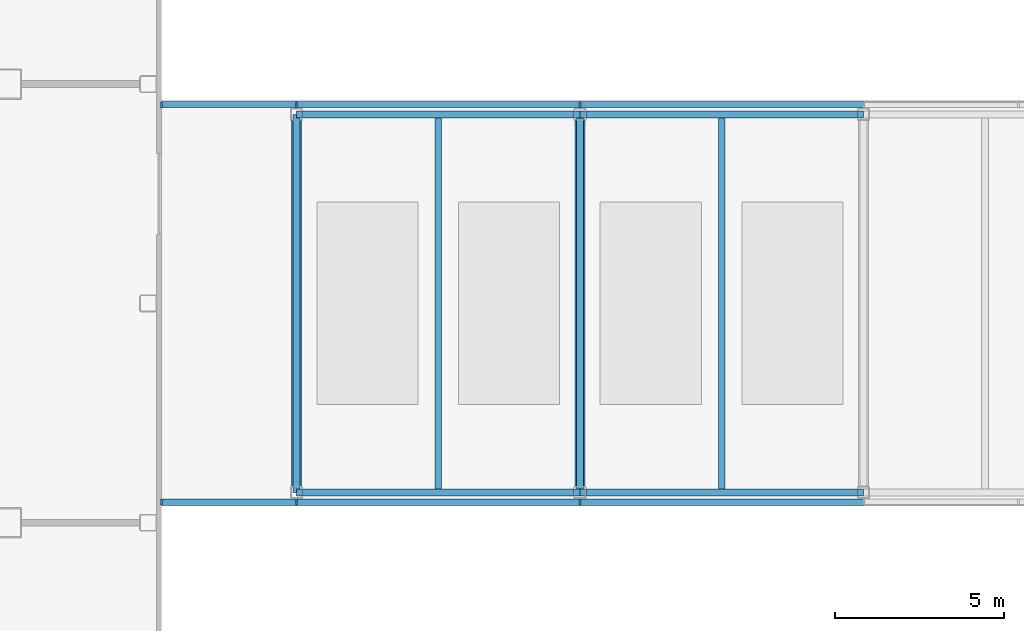
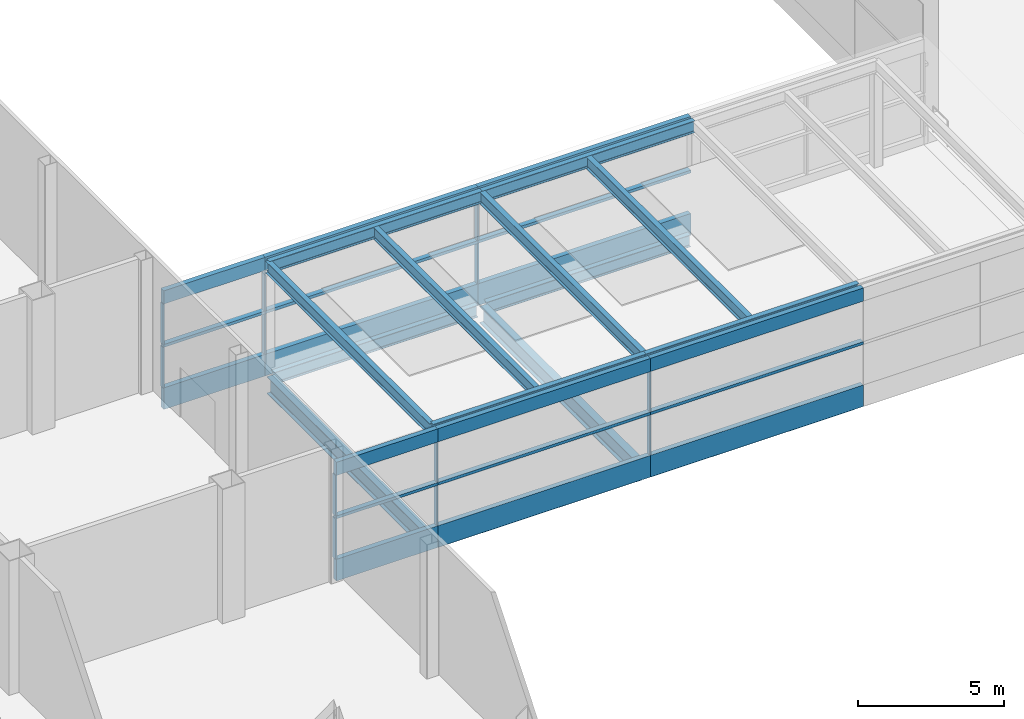
# One storey, part 17 of 100: 30 members, 14 beams, 6 elements without a shape of their own.
"""IFC4 building model written with IfcOpenShell, lengths in metres."""

from ifc_helpers import new_model, si_unit, direction, frame, origin, origin_2d, place, context, subcontext, project, spatial, rectangle, i_section, extrude, material, layer, layer_set, material_profile, profile_set, type_object, element, aggregate, save


model = new_model("IFC4")

# Units and contexts
model_context = context("Model", 3, precision=1e-05, world=origin(), true_north=direction((0.0, 1.0)))
body_context = subcontext(model_context, "Body", "Model", "MODEL_VIEW")
ifc_project = project(units=[si_unit("LENGTHUNIT", "METRE"), si_unit("AREAUNIT", "SQUARE_METRE"), si_unit("VOLUMEUNIT", "CUBIC_METRE"), si_unit("PLANEANGLEUNIT", "RADIAN"), si_unit("MASSUNIT", "GRAM", prefix="KILO")], contexts=[model_context])

# Site, building, storey
site_placement = place(None, origin())
site = spatial("IfcSite", under=ifc_project, at=site_placement, CompositionType="ELEMENT")
building_placement = place(site_placement, origin())
building = spatial("IfcBuilding", under=site, at=building_placement, Name="Hakoniwa Tower and Hamabe Station Hall", CompositionType="ELEMENT")
storey_placement = place(building_placement, frame((0.0, 0.0, 9.0)))
storey = spatial("IfcBuildingStorey", under=building, at=storey_placement, Name="L02", CompositionType="ELEMENT", Elevation=9.0)

# Beams
ifc_material_1 = material(Name="Steel SN490B", Category="steel")
ifc_material_profile_1 = material_profile(ifc_material_1, i_section(OverallWidth=0.199951171875, OverallDepth=0.5, WebThickness=0.010009765625, FlangeThickness=0.01611328125, FilletRadius=0.02001953125, at=origin_2d()), Name="H-500x200x10x16")
ifc_profile_set_1 = profile_set([ifc_material_profile_1], Name="Steel SN490B")
beam_type_1 = type_object("IfcBeamType", Name="ARCADE BEAM H-500x200x10x16", PredefinedType="BEAM", material=ifc_profile_set_1)
for number, where, z_axis, x_axis, name in (
    (1, (59.175048828125, -5.60009765625, -0.550048828125), (1.0, 0.0, 0.0), (0.0, 1.0, 0.0), "Arcade edge beam 01"),
    (2, (67.574951171875, -5.60009765625, -0.550048828125), (1.0, 0.0, 0.0), (0.0, 1.0, 0.0), "Arcade edge beam 02"),
    (3, (59.175048828125, 5.60009765625, -0.550048828125), (1.0, 0.0, 0.0), (0.0, 1.0, 0.0), "Arcade edge beam 04"),
    (4, (67.574951171875, 5.60009765625, -0.550048828125), (1.0, 0.0, 0.0), (0.0, 1.0, 0.0), "Arcade edge beam 05"),
):
    element("IfcBeam", number, at=place(storey_placement, frame(where, z_axis=z_axis, x_axis=x_axis)), inside=storey, type_object=beam_type_1, Name=name, PredefinedType="BEAM", context=body_context, shape_type="SweptSolid", body=[
        extrude(i_section(OverallWidth=0.199951171875, OverallDepth=0.5, WebThickness=0.010009765625, FlangeThickness=0.01611328125, FilletRadius=0.02001953125, at=origin_2d()), origin(), (0.0, 0.0, 1.0), 8.050048828125),
    ])
for number, where, z_axis, x_axis, name in (
    (5, (59.0, -5.60009765625, 4.14990234375), (0.0, 1.0, 0.0), (-1.0, 0.0, 0.0), "Arcade roof beam 01"),
    (6, (63.199951171875, -5.60009765625, 4.14990234375), (0.0, 1.0, 0.0), (-1.0, 0.0, 0.0), "Arcade roof beam 02"),
    (7, (67.39990234375, -5.60009765625, 4.14990234375), (0.0, 1.0, 0.0), (-1.0, 0.0, 0.0), "Arcade roof beam 03"),
    (8, (71.60009765625, -5.60009765625, 4.14990234375), (0.0, 1.0, 0.0), (-1.0, 0.0, 0.0), "Arcade roof beam 04"),
):
    element("IfcBeam", number, at=place(storey_placement, frame(where, z_axis=z_axis, x_axis=x_axis)), inside=storey, type_object=beam_type_1, Name=name, PredefinedType="BEAM", context=body_context, shape_type="SweptSolid", body=[
        extrude(i_section(OverallWidth=0.199951171875, OverallDepth=0.5, WebThickness=0.010009765625, FlangeThickness=0.01611328125, FilletRadius=0.02001953125, at=origin_2d()), origin(), (0.0, 0.0, 1.0), 11.2001953125),
    ])
beam_1_placement = place(storey_placement, frame((59.0, -5.60009765625, 4.14990234375), z_axis=(1.0, 0.0, 0.0), x_axis=(0.0, 1.0, 0.0)))
element("IfcBeam", 9, at=beam_1_placement, inside=storey, type_object=beam_type_1, Name="Arcade roof edge beam 01", PredefinedType="BEAM", context=body_context, shape_type="SweptSolid", body=[
    extrude(i_section(OverallWidth=0.199951171875, OverallDepth=0.5, WebThickness=0.010009765625, FlangeThickness=0.01611328125, FilletRadius=0.02001953125, at=origin_2d()), origin(), (0.0, 0.0, 1.0), 8.39990234375),
])
beam_2_placement = place(storey_placement, frame((67.39990234375, -5.60009765625, 4.14990234375), z_axis=(1.0, 0.0, 0.0), x_axis=(0.0, 1.0, 0.0)))
element("IfcBeam", 10, at=beam_2_placement, inside=storey, type_object=beam_type_1, Name="Arcade roof edge beam 02", PredefinedType="BEAM", context=body_context, shape_type="SweptSolid", body=[
    extrude(i_section(OverallWidth=0.199951171875, OverallDepth=0.5, WebThickness=0.010009765625, FlangeThickness=0.01611328125, FilletRadius=0.02001953125, at=origin_2d()), origin(), (0.0, 0.0, 1.0), 8.400146484375),
])
beam_3_placement = place(storey_placement, frame((59.0, 5.60009765625, 4.14990234375), z_axis=(1.0, 0.0, 0.0), x_axis=(0.0, 1.0, 0.0)))
element("IfcBeam", 11, at=beam_3_placement, inside=storey, type_object=beam_type_1, Name="Arcade roof edge beam 04", PredefinedType="BEAM", context=body_context, shape_type="SweptSolid", body=[
    extrude(i_section(OverallWidth=0.199951171875, OverallDepth=0.5, WebThickness=0.010009765625, FlangeThickness=0.01611328125, FilletRadius=0.02001953125, at=origin_2d()), origin(), (0.0, 0.0, 1.0), 8.39990234375),
])
beam_4_placement = place(storey_placement, frame((67.39990234375, 5.60009765625, 4.14990234375), z_axis=(1.0, 0.0, 0.0), x_axis=(0.0, 1.0, 0.0)))
element("IfcBeam", 12, at=beam_4_placement, inside=storey, type_object=beam_type_1, Name="Arcade roof edge beam 05", PredefinedType="BEAM", context=body_context, shape_type="SweptSolid", body=[
    extrude(i_section(OverallWidth=0.199951171875, OverallDepth=0.5, WebThickness=0.010009765625, FlangeThickness=0.01611328125, FilletRadius=0.02001953125, at=origin_2d()), origin(), (0.0, 0.0, 1.0), 8.400146484375),
])
ifc_material_2 = material(Name="Steel SN490B", Category="steel")
ifc_material_profile_2 = material_profile(ifc_material_2, i_section(OverallWidth=0.300048828125, OverallDepth=0.699951171875, WebThickness=0.012939453125, FlangeThickness=0.02392578125, FilletRadius=0.028076171875, at=origin_2d()), Name="H-700x300x13x24")
ifc_profile_set_2 = profile_set([ifc_material_profile_2], Name="Steel SN490B")
beam_type_2 = type_object("IfcBeamType", Name="ARCADE BEAM H-700x300x13x24", PredefinedType="BEAM", material=ifc_profile_set_2)
for number, where, z_axis, x_axis, name in (
    (13, (59.0, -5.425048828125, -0.64990234375), (0.0, 1.0, 0.0), (-1.0, 0.0, 0.0), "Arcade deck beam 01"),
    (14, (67.39990234375, -5.425048828125, -0.64990234375), (0.0, 1.0, 0.0), (-1.0, 0.0, 0.0), "Arcade deck beam 02"),
):
    element("IfcBeam", number, at=place(storey_placement, frame(where, z_axis=z_axis, x_axis=x_axis)), inside=storey, type_object=beam_type_2, Name=name, PredefinedType="BEAM", context=body_context, shape_type="SweptSolid", body=[
        extrude(i_section(OverallWidth=0.300048828125, OverallDepth=0.699951171875, WebThickness=0.012939453125, FlangeThickness=0.02392578125, FilletRadius=0.028076171875, at=origin_2d()), origin(), (0.0, 0.0, 1.0), 10.85009765625),
    ])

# Curtain wall, member
ifc_material_3 = material(Name="Dark low-e laminated glass", Category="glass")
ifc_layer = layer(ifc_material_3, 0.199951171875)
ifc_layer_set = layer_set([ifc_layer], Name="CW-5 ARCADE")
curtain_wall_type = type_object("IfcCurtainWallType", Name="CW-5 ARCADE", PredefinedType="NOTDEFINED", material=ifc_layer_set)
curtain_wall_1_placement = place(storey_placement, origin())
curtain_wall_1 = element("IfcCurtainWall", 15, at=curtain_wall_1_placement, inside=storey, type_object=curtain_wall_type, Name="CW-5 curtain wall", PredefinedType="NOTDEFINED")
ifc_material_4 = material(Name="Aluminium 6063-T5 black anodised", Category="aluminium")
ifc_material_profile_3 = material_profile(ifc_material_4, rectangle(XDim=0.199951171875, YDim=0.550048828125, at=origin_2d()), Name="CW HEAD BAND 550X200")
ifc_profile_set_3 = profile_set([ifc_material_profile_3], Name="Aluminium 6063-T5 black anodised")
member_type_1 = type_object("IfcMemberType", Name="CW HEAD BAND 550X200", PredefinedType="USERDEFINED", material=ifc_profile_set_3)
member_1_placement = place(storey_placement, frame((55.0, -5.89990234375, 4.125), z_axis=(1.0, 0.0, 0.0), x_axis=(0.0, 1.0, 0.0)))
member_1 = element("IfcMember", 16, at=member_1_placement, type_object=member_type_1, Name="CW-5 transom", ObjectType="TRANSOM", PredefinedType="USERDEFINED", context=body_context, shape_type="SweptSolid", body=[
    extrude(rectangle(XDim=0.199951171875, YDim=0.550048828125, at=origin_2d()), origin(), (0.0, 0.0, 1.0), 4.0),
])

curtain_wall_2_placement = place(storey_placement, origin())
curtain_wall_2 = element("IfcCurtainWall", 17, at=curtain_wall_2_placement, inside=storey, type_object=curtain_wall_type, Name="CW-5 curtain wall", PredefinedType="NOTDEFINED")
member_2_placement = place(storey_placement, frame((59.0, -5.89990234375, 4.125), z_axis=(1.0, 0.0, 0.0), x_axis=(0.0, 1.0, 0.0)))
member_2 = element("IfcMember", 18, at=member_2_placement, type_object=member_type_1, Name="CW-5 transom", ObjectType="TRANSOM", PredefinedType="USERDEFINED", context=body_context, shape_type="SweptSolid", body=[
    extrude(rectangle(XDim=0.199951171875, YDim=0.550048828125, at=origin_2d()), origin(), (0.0, 0.0, 1.0), 8.39990234375),
])

curtain_wall_3_placement = place(storey_placement, origin())
curtain_wall_3 = element("IfcCurtainWall", 19, at=curtain_wall_3_placement, inside=storey, type_object=curtain_wall_type, Name="CW-5 curtain wall", PredefinedType="NOTDEFINED")
member_3_placement = place(storey_placement, frame((67.39990234375, -5.89990234375, 4.125), z_axis=(1.0, 0.0, 0.0), x_axis=(0.0, 1.0, 0.0)))
member_3 = element("IfcMember", 20, at=member_3_placement, type_object=member_type_1, Name="CW-5 transom", ObjectType="TRANSOM", PredefinedType="USERDEFINED", context=body_context, shape_type="SweptSolid", body=[
    extrude(rectangle(XDim=0.199951171875, YDim=0.550048828125, at=origin_2d()), origin(), (0.0, 0.0, 1.0), 8.400146484375),
])

curtain_wall_4_placement = place(storey_placement, origin())
curtain_wall_4 = element("IfcCurtainWall", 21, at=curtain_wall_4_placement, inside=storey, type_object=curtain_wall_type, Name="CW-5 curtain wall", PredefinedType="NOTDEFINED")
member_4_placement = place(storey_placement, frame((75.800048828125, 5.89990234375, 4.125), z_axis=(-1.0, 0.0, 0.0), x_axis=(0.0, -1.0, 0.0)))
member_4 = element("IfcMember", 22, at=member_4_placement, type_object=member_type_1, Name="CW-5 transom", ObjectType="TRANSOM", PredefinedType="USERDEFINED", context=body_context, shape_type="SweptSolid", body=[
    extrude(rectangle(XDim=0.199951171875, YDim=0.550048828125, at=origin_2d()), origin(), (0.0, 0.0, 1.0), 8.400146484375),
])

curtain_wall_5_placement = place(storey_placement, origin())
curtain_wall_5 = element("IfcCurtainWall", 23, at=curtain_wall_5_placement, inside=storey, type_object=curtain_wall_type, Name="CW-5 curtain wall", PredefinedType="NOTDEFINED")
member_5_placement = place(storey_placement, frame((67.39990234375, 5.89990234375, 4.125), z_axis=(-1.0, 0.0, 0.0), x_axis=(0.0, -1.0, 0.0)))
member_5 = element("IfcMember", 24, at=member_5_placement, type_object=member_type_1, Name="CW-5 transom", ObjectType="TRANSOM", PredefinedType="USERDEFINED", context=body_context, shape_type="SweptSolid", body=[
    extrude(rectangle(XDim=0.199951171875, YDim=0.550048828125, at=origin_2d()), origin(), (0.0, 0.0, 1.0), 8.39990234375),
])

curtain_wall_6_placement = place(storey_placement, origin())
curtain_wall_6 = element("IfcCurtainWall", 25, at=curtain_wall_6_placement, inside=storey, type_object=curtain_wall_type, Name="CW-5 curtain wall", PredefinedType="NOTDEFINED")
member_6_placement = place(storey_placement, frame((59.0, 5.89990234375, 4.125), z_axis=(-1.0, 0.0, 0.0), x_axis=(0.0, -1.0, 0.0)))
member_6 = element("IfcMember", 26, at=member_6_placement, type_object=member_type_1, Name="CW-5 transom", ObjectType="TRANSOM", PredefinedType="USERDEFINED", context=body_context, shape_type="SweptSolid", body=[
    extrude(rectangle(XDim=0.199951171875, YDim=0.550048828125, at=origin_2d()), origin(), (0.0, 0.0, 1.0), 4.0),
])

# Member
ifc_material_5 = material(Name="Aluminium 6063-T5 black anodised", Category="aluminium")
ifc_material_profile_4 = material_profile(ifc_material_5, rectangle(XDim=0.199951171875, YDim=0.1201171875, at=origin_2d()), Name="CW MID TRANSOM 120X200")
ifc_profile_set_4 = profile_set([ifc_material_profile_4], Name="Aluminium 6063-T5 black anodised")
member_type_2 = type_object("IfcMemberType", Name="CW MID TRANSOM 120X200", PredefinedType="USERDEFINED", material=ifc_profile_set_4)
member_7_placement = place(storey_placement, frame((55.0, -5.89990234375, 2.10009765625), z_axis=(1.0, 0.0, 0.0), x_axis=(0.0, 1.0, 0.0)))
member_7 = element("IfcMember", 27, at=member_7_placement, type_object=member_type_2, Name="CW-5 transom", ObjectType="TRANSOM", PredefinedType="USERDEFINED", context=body_context, shape_type="SweptSolid", body=[
    extrude(rectangle(XDim=0.199951171875, YDim=0.1201171875, at=origin_2d()), origin(), (0.0, 0.0, 1.0), 4.0),
])

member_8_placement = place(storey_placement, frame((59.0, -5.89990234375, 2.10009765625), z_axis=(1.0, 0.0, 0.0), x_axis=(0.0, 1.0, 0.0)))
member_8 = element("IfcMember", 28, at=member_8_placement, type_object=member_type_2, Name="CW-5 transom", ObjectType="TRANSOM", PredefinedType="USERDEFINED", context=body_context, shape_type="SweptSolid", body=[
    extrude(rectangle(XDim=0.199951171875, YDim=0.1201171875, at=origin_2d()), origin(), (0.0, 0.0, 1.0), 8.39990234375),
])

member_9_placement = place(storey_placement, frame((67.39990234375, -5.89990234375, 2.10009765625), z_axis=(1.0, 0.0, 0.0), x_axis=(0.0, 1.0, 0.0)))
member_9 = element("IfcMember", 29, at=member_9_placement, type_object=member_type_2, Name="CW-5 transom", ObjectType="TRANSOM", PredefinedType="USERDEFINED", context=body_context, shape_type="SweptSolid", body=[
    extrude(rectangle(XDim=0.199951171875, YDim=0.1201171875, at=origin_2d()), origin(), (0.0, 0.0, 1.0), 8.400146484375),
])

member_10_placement = place(storey_placement, frame((75.800048828125, 5.89990234375, 2.10009765625), z_axis=(-1.0, 0.0, 0.0), x_axis=(0.0, -1.0, 0.0)))
member_10 = element("IfcMember", 30, at=member_10_placement, type_object=member_type_2, Name="CW-5 transom", ObjectType="TRANSOM", PredefinedType="USERDEFINED", context=body_context, shape_type="SweptSolid", body=[
    extrude(rectangle(XDim=0.199951171875, YDim=0.1201171875, at=origin_2d()), origin(), (0.0, 0.0, 1.0), 8.400146484375),
])

member_11_placement = place(storey_placement, frame((67.39990234375, 5.89990234375, 2.10009765625), z_axis=(-1.0, 0.0, 0.0), x_axis=(0.0, -1.0, 0.0)))
member_11 = element("IfcMember", 31, at=member_11_placement, type_object=member_type_2, Name="CW-5 transom", ObjectType="TRANSOM", PredefinedType="USERDEFINED", context=body_context, shape_type="SweptSolid", body=[
    extrude(rectangle(XDim=0.199951171875, YDim=0.1201171875, at=origin_2d()), origin(), (0.0, 0.0, 1.0), 8.39990234375),
])

member_12_placement = place(storey_placement, frame((59.0, 5.89990234375, 2.10009765625), z_axis=(-1.0, 0.0, 0.0), x_axis=(0.0, -1.0, 0.0)))
member_12 = element("IfcMember", 32, at=member_12_placement, type_object=member_type_2, Name="CW-5 transom", ObjectType="TRANSOM", PredefinedType="USERDEFINED", context=body_context, shape_type="SweptSolid", body=[
    extrude(rectangle(XDim=0.199951171875, YDim=0.1201171875, at=origin_2d()), origin(), (0.0, 0.0, 1.0), 4.0),
])

ifc_material_6 = material(Name="Aluminium 6063-T5 black anodised", Category="aluminium")
ifc_material_profile_5 = material_profile(ifc_material_6, rectangle(XDim=0.199951171875, YDim=0.89990234375, at=origin_2d()), Name="CW SLAB-EDGE BAND 900X200")
ifc_profile_set_5 = profile_set([ifc_material_profile_5], Name="Aluminium 6063-T5 black anodised")
member_type_3 = type_object("IfcMemberType", Name="CW SLAB-EDGE BAND 900X200", PredefinedType="USERDEFINED", material=ifc_profile_set_5)
member_13_placement = place(storey_placement, frame((55.0, -5.89990234375, -0.10009765625), z_axis=(1.0, 0.0, 0.0), x_axis=(0.0, 1.0, 0.0)))
member_13 = element("IfcMember", 33, at=member_13_placement, type_object=member_type_3, Name="CW-5 transom", ObjectType="TRANSOM", PredefinedType="USERDEFINED", context=body_context, shape_type="SweptSolid", body=[
    extrude(rectangle(XDim=0.199951171875, YDim=0.89990234375, at=origin_2d()), origin(), (0.0, 0.0, 1.0), 4.0),
])

member_14_placement = place(storey_placement, frame((59.0, -5.89990234375, -0.10009765625), z_axis=(1.0, 0.0, 0.0), x_axis=(0.0, 1.0, 0.0)))
member_14 = element("IfcMember", 34, at=member_14_placement, type_object=member_type_3, Name="CW-5 transom", ObjectType="TRANSOM", PredefinedType="USERDEFINED", context=body_context, shape_type="SweptSolid", body=[
    extrude(rectangle(XDim=0.199951171875, YDim=0.89990234375, at=origin_2d()), origin(), (0.0, 0.0, 1.0), 8.39990234375),
])

member_15_placement = place(storey_placement, frame((67.39990234375, -5.89990234375, -0.10009765625), z_axis=(1.0, 0.0, 0.0), x_axis=(0.0, 1.0, 0.0)))
member_15 = element("IfcMember", 35, at=member_15_placement, type_object=member_type_3, Name="CW-5 transom", ObjectType="TRANSOM", PredefinedType="USERDEFINED", context=body_context, shape_type="SweptSolid", body=[
    extrude(rectangle(XDim=0.199951171875, YDim=0.89990234375, at=origin_2d()), origin(), (0.0, 0.0, 1.0), 8.400146484375),
])

member_16_placement = place(storey_placement, frame((75.800048828125, 5.89990234375, -0.10009765625), z_axis=(-1.0, 0.0, 0.0), x_axis=(0.0, -1.0, 0.0)))
member_16 = element("IfcMember", 36, at=member_16_placement, type_object=member_type_3, Name="CW-5 transom", ObjectType="TRANSOM", PredefinedType="USERDEFINED", context=body_context, shape_type="SweptSolid", body=[
    extrude(rectangle(XDim=0.199951171875, YDim=0.89990234375, at=origin_2d()), origin(), (0.0, 0.0, 1.0), 8.400146484375),
])

aggregate(curtain_wall_4, [member_16, member_10, member_4])

member_17_placement = place(storey_placement, frame((67.39990234375, 5.89990234375, -0.10009765625), z_axis=(-1.0, 0.0, 0.0), x_axis=(0.0, -1.0, 0.0)))
member_17 = element("IfcMember", 37, at=member_17_placement, type_object=member_type_3, Name="CW-5 transom", ObjectType="TRANSOM", PredefinedType="USERDEFINED", context=body_context, shape_type="SweptSolid", body=[
    extrude(rectangle(XDim=0.199951171875, YDim=0.89990234375, at=origin_2d()), origin(), (0.0, 0.0, 1.0), 8.39990234375),
])

member_18_placement = place(storey_placement, frame((59.0, 5.89990234375, -0.10009765625), z_axis=(-1.0, 0.0, 0.0), x_axis=(0.0, -1.0, 0.0)))
member_18 = element("IfcMember", 38, at=member_18_placement, type_object=member_type_3, Name="CW-5 transom", ObjectType="TRANSOM", PredefinedType="USERDEFINED", context=body_context, shape_type="SweptSolid", body=[
    extrude(rectangle(XDim=0.199951171875, YDim=0.89990234375, at=origin_2d()), origin(), (0.0, 0.0, 1.0), 4.0),
])

ifc_material_7 = material(Name="Aluminium 6063-T5 black anodised", Category="aluminium")
ifc_material_profile_6 = material_profile(ifc_material_7, rectangle(XDim=0.06005859375, YDim=0.179931640625, at=origin_2d()), Name="CW-1 MULLION 60X180")
ifc_profile_set_6 = profile_set([ifc_material_profile_6], Name="Aluminium 6063-T5 black anodised")
member_type_4 = type_object("IfcMemberType", Name="CW-1 MULLION 60X180", PredefinedType="MULLION", material=ifc_profile_set_6)
member_19_placement = place(storey_placement, frame((55.0, -5.882080078125, 0.35009765625), z_axis=(0.0, 0.0, 1.0), x_axis=(1.0, 0.0, 0.0)))
member_19 = element("IfcMember", 39, at=member_19_placement, type_object=member_type_4, Name="CW-5 mullion", PredefinedType="MULLION", context=body_context, shape_type="SweptSolid", body=[
    extrude(rectangle(XDim=0.06005859375, YDim=0.179931640625, at=origin_2d()), origin(), (0.0, 0.0, 1.0), 1.68994140625),
])

member_20_placement = place(storey_placement, frame((55.0, -5.882080078125, 2.159912109375), z_axis=(0.0, 0.0, 1.0), x_axis=(1.0, 0.0, 0.0)))
member_20 = element("IfcMember", 40, at=member_20_placement, type_object=member_type_4, Name="CW-5 mullion", PredefinedType="MULLION", context=body_context, shape_type="SweptSolid", body=[
    extrude(rectangle(XDim=0.06005859375, YDim=0.179931640625, at=origin_2d()), origin(), (0.0, 0.0, 1.0), 1.690185546875),
])

aggregate(curtain_wall_1, [member_19, member_20, member_13, member_7, member_1])

member_21_placement = place(storey_placement, frame((59.0, -5.882080078125, 0.35009765625), z_axis=(0.0, 0.0, 1.0), x_axis=(1.0, 0.0, 0.0)))
member_21 = element("IfcMember", 41, at=member_21_placement, type_object=member_type_4, Name="CW-5 mullion", PredefinedType="MULLION", context=body_context, shape_type="SweptSolid", body=[
    extrude(rectangle(XDim=0.06005859375, YDim=0.179931640625, at=origin_2d()), origin(), (0.0, 0.0, 1.0), 1.68994140625),
])

member_22_placement = place(storey_placement, frame((59.0, -5.882080078125, 2.159912109375), z_axis=(0.0, 0.0, 1.0), x_axis=(1.0, 0.0, 0.0)))
member_22 = element("IfcMember", 42, at=member_22_placement, type_object=member_type_4, Name="CW-5 mullion", PredefinedType="MULLION", context=body_context, shape_type="SweptSolid", body=[
    extrude(rectangle(XDim=0.06005859375, YDim=0.179931640625, at=origin_2d()), origin(), (0.0, 0.0, 1.0), 1.690185546875),
])

aggregate(curtain_wall_2, [member_21, member_22, member_14, member_8, member_2])

member_23_placement = place(storey_placement, frame((67.39990234375, -5.882080078125, 0.35009765625), z_axis=(0.0, 0.0, 1.0), x_axis=(1.0, 0.0, 0.0)))
member_23 = element("IfcMember", 43, at=member_23_placement, type_object=member_type_4, Name="CW-5 mullion", PredefinedType="MULLION", context=body_context, shape_type="SweptSolid", body=[
    extrude(rectangle(XDim=0.06005859375, YDim=0.179931640625, at=origin_2d()), origin(), (0.0, 0.0, 1.0), 1.68994140625),
])

member_24_placement = place(storey_placement, frame((67.39990234375, -5.882080078125, 2.159912109375), z_axis=(0.0, 0.0, 1.0), x_axis=(1.0, 0.0, 0.0)))
member_24 = element("IfcMember", 44, at=member_24_placement, type_object=member_type_4, Name="CW-5 mullion", PredefinedType="MULLION", context=body_context, shape_type="SweptSolid", body=[
    extrude(rectangle(XDim=0.06005859375, YDim=0.179931640625, at=origin_2d()), origin(), (0.0, 0.0, 1.0), 1.690185546875),
])

aggregate(curtain_wall_3, [member_23, member_24, member_15, member_9, member_3])

member_25_placement = place(storey_placement, frame((67.39990234375, 5.882080078125, 0.35009765625), z_axis=(0.0, 0.0, 1.0), x_axis=(-1.0, 0.0, 0.0)))
member_25 = element("IfcMember", 45, at=member_25_placement, type_object=member_type_4, Name="CW-5 mullion", PredefinedType="MULLION", context=body_context, shape_type="SweptSolid", body=[
    extrude(rectangle(XDim=0.06005859375, YDim=0.179931640625, at=origin_2d()), origin(), (0.0, 0.0, 1.0), 1.68994140625),
])

member_26_placement = place(storey_placement, frame((67.39990234375, 5.882080078125, 2.159912109375), z_axis=(0.0, 0.0, 1.0), x_axis=(-1.0, 0.0, 0.0)))
member_26 = element("IfcMember", 46, at=member_26_placement, type_object=member_type_4, Name="CW-5 mullion", PredefinedType="MULLION", context=body_context, shape_type="SweptSolid", body=[
    extrude(rectangle(XDim=0.06005859375, YDim=0.179931640625, at=origin_2d()), origin(), (0.0, 0.0, 1.0), 1.690185546875),
])

aggregate(curtain_wall_5, [member_25, member_26, member_17, member_11, member_5])

member_27_placement = place(storey_placement, frame((59.0, 5.882080078125, 0.35009765625), z_axis=(0.0, 0.0, 1.0), x_axis=(-1.0, 0.0, 0.0)))
member_27 = element("IfcMember", 47, at=member_27_placement, type_object=member_type_4, Name="CW-5 mullion", PredefinedType="MULLION", context=body_context, shape_type="SweptSolid", body=[
    extrude(rectangle(XDim=0.06005859375, YDim=0.179931640625, at=origin_2d()), origin(), (0.0, 0.0, 1.0), 1.68994140625),
])

member_28_placement = place(storey_placement, frame((59.0, 5.882080078125, 2.159912109375), z_axis=(0.0, 0.0, 1.0), x_axis=(-1.0, 0.0, 0.0)))
member_28 = element("IfcMember", 48, at=member_28_placement, type_object=member_type_4, Name="CW-5 mullion", PredefinedType="MULLION", context=body_context, shape_type="SweptSolid", body=[
    extrude(rectangle(XDim=0.06005859375, YDim=0.179931640625, at=origin_2d()), origin(), (0.0, 0.0, 1.0), 1.690185546875),
])

member_29_placement = place(storey_placement, frame((55.0, 5.882080078125, 0.35009765625), z_axis=(0.0, 0.0, 1.0), x_axis=(-1.0, 0.0, 0.0)))
member_29 = element("IfcMember", 49, at=member_29_placement, type_object=member_type_4, Name="CW-5 mullion", PredefinedType="MULLION", context=body_context, shape_type="SweptSolid", body=[
    extrude(rectangle(XDim=0.06005859375, YDim=0.179931640625, at=origin_2d()), origin(), (0.0, 0.0, 1.0), 1.68994140625),
])

member_30_placement = place(storey_placement, frame((55.0, 5.882080078125, 2.159912109375), z_axis=(0.0, 0.0, 1.0), x_axis=(-1.0, 0.0, 0.0)))
member_30 = element("IfcMember", 50, at=member_30_placement, type_object=member_type_4, Name="CW-5 mullion", PredefinedType="MULLION", context=body_context, shape_type="SweptSolid", body=[
    extrude(rectangle(XDim=0.06005859375, YDim=0.179931640625, at=origin_2d()), origin(), (0.0, 0.0, 1.0), 1.690185546875),
])

aggregate(curtain_wall_6, [member_27, member_28, member_29, member_30, member_18, member_12, member_6])

save(model, "model.ifc")
